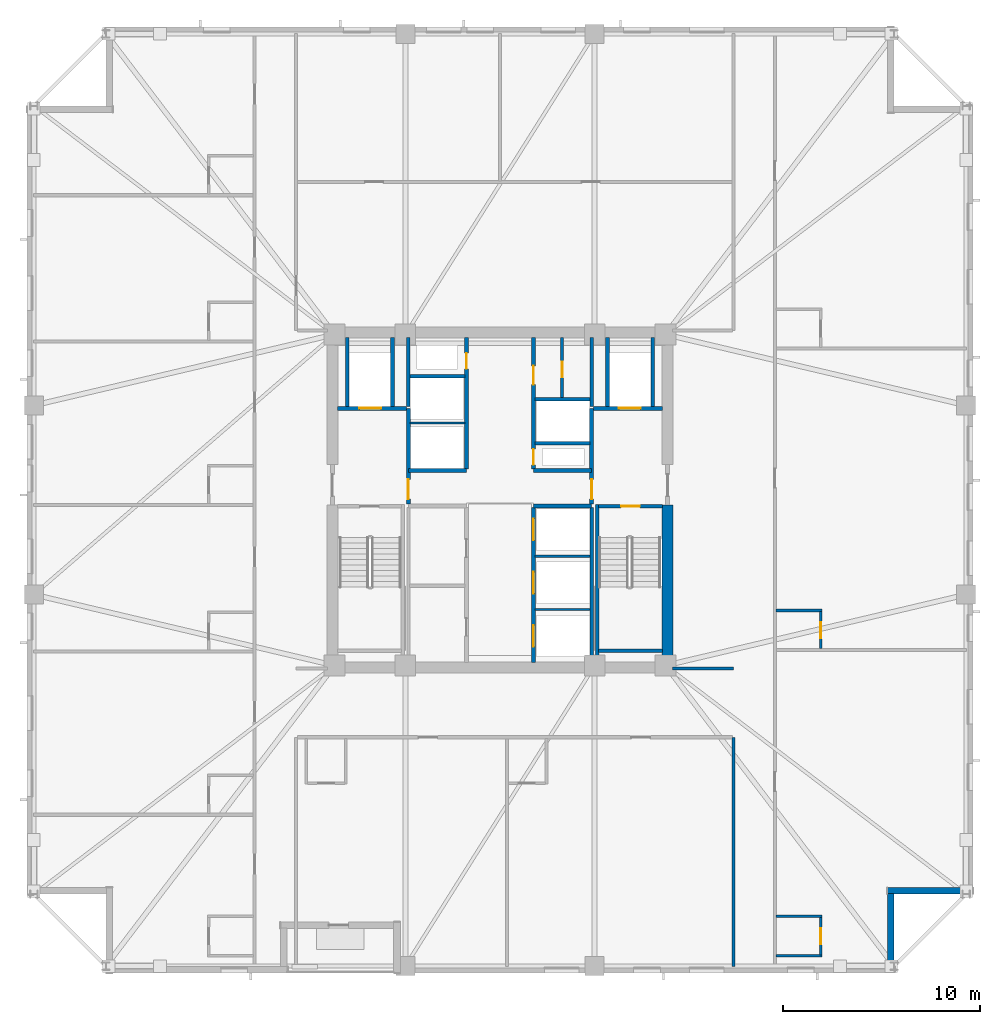
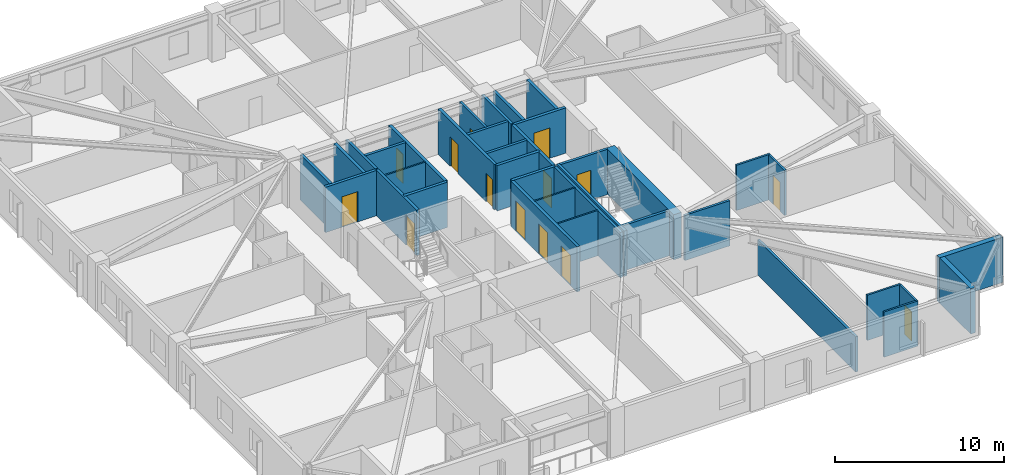
# One storey, part 4 of 11: 37 walls, 14 doors, 14 openings.
"""IFC4 building model written with IfcOpenShell, lengths in metres."""

from ifc_helpers import new_model, si_unit, direction, frame, frame_2d, origin, place, context, subcontext, project, spatial, rectangle, extrude, material, layer, layer_set, type_object, element, fill, save


model = new_model("IFC4")

# Units and contexts
model_context = context("Model", 3, precision=1e-05, world=origin(), true_north=direction((0.0, 1.0)))
body_context = subcontext(model_context, "Body", "Model", "MODEL_VIEW")
ifc_project = project(units=[si_unit("LENGTHUNIT", "METRE"), si_unit("AREAUNIT", "SQUARE_METRE"), si_unit("VOLUMEUNIT", "CUBIC_METRE"), si_unit("PLANEANGLEUNIT", "RADIAN"), si_unit("MASSUNIT", "GRAM", prefix="KILO")], contexts=[model_context])

# Site, building, storey
site_placement = place(None, origin())
site = spatial("IfcSite", under=ifc_project, at=site_placement, CompositionType="ELEMENT")
building_placement = place(site_placement, origin())
building = spatial("IfcBuilding", under=site, at=building_placement, Name="Cairnveth Concourse Tower", CompositionType="ELEMENT")
storey_placement = place(building_placement, frame((0.0, 0.0, 148.0)))
storey = spatial("IfcBuildingStorey", under=building, at=storey_placement, Name="L40", CompositionType="ELEMENT", Elevation=148.0)

# Wall, opening, door
ifc_material_1 = material(Name="Gypsum Plasterboard Partition", Category="gypsum")
ifc_layer_1 = layer(ifc_material_1, 0.159912109375)
ifc_layer_set_1 = layer_set([ifc_layer_1], Name="Gypsum Plasterboard Partition")
wall_type_1 = type_object("IfcWallType", Name="ACOUSTIC PARTY WALL 180", PredefinedType="PARTITIONING", material=ifc_layer_set_1)
wall_1_placement = place(storey_placement, frame((55.14990234375, 44.195068359375, 0.0), z_axis=(0.0, 0.0, 1.0), x_axis=(0.0, 1.0, 0.0)))
wall_1 = element("IfcWall", 1, at=wall_1_placement, inside=storey, type_object=wall_type_1, Name="Interior Wall IW-L40-036", PredefinedType="PARTITIONING", context=body_context, shape_type="SweptSolid", body=[
    extrude(rectangle(XDim=3.044921875, YDim=0.159912109375, at=frame_2d((1.5224609375, 0.0))), origin(), (0.0, 0.0, 1.0), 3.280029296875),
])
opening_1_placement = place(wall_1_placement, frame((1.02490234375, 0.0, 0.0)))
opening_1 = element("IfcOpeningElement", 2, at=opening_1_placement, cuts=wall_1, Name="Opening ID23", PredefinedType="OPENING", context=body_context, shape_type="SweptSolid", body=[
    extrude(rectangle(XDim=0.800048828125, YDim=2.10009765625, at=frame_2d((0.39990234375, 1.050048828125))), frame((0.0, 0.08984375, 0.0), z_axis=(0.0, -1.0, 0.0), x_axis=(1.0, 0.0, 0.0)), (0.0, 0.0, 1.0), 0.179931640625),
])
ifc_material_2 = material(Name="Steel Grade 350", Category="steel")
door_type_1 = type_object("IfcDoorType", Name="CORE SERVICE DOOR 800X2100", OperationType="NOTDEFINED", PredefinedType="DOOR", material=ifc_material_2)
door_1_placement = place(opening_1_placement, origin())
door_1 = element("IfcDoor", 3, at=door_1_placement, inside=storey, type_object=door_type_1, Name="NE Linen Closet Door L40", OperationType="SINGLE_SWING_LEFT", OverallHeight=2.10009765625, OverallWidth=0.800048828125, PredefinedType="DOOR", context=body_context, shape_type="SweptSolid", body=[
    extrude(rectangle(XDim=0.800048828125, YDim=2.10009765625, at=frame_2d((0.39990234375, 1.050048828125))), frame((0.0, 0.02490234375, 0.0), z_axis=(0.0, -1.0, 0.0), x_axis=(1.0, 0.0, 0.0)), (0.0, 0.0, 1.0), 0.050048828125),
])
fill(opening_1, door_1)

# Walls
wall_2_placement = place(storey_placement, frame((63.85009765625, 15.324951171875, 0.0), z_axis=(0.0, 0.0, 1.0), x_axis=(0.0, 1.0, 0.0)))
element("IfcWall", 4, at=wall_2_placement, inside=storey, type_object=wall_type_1, Name="Interior Wall IW-L40-043", PredefinedType="PARTITIONING", context=body_context, shape_type="SweptSolid", body=[
    extrude(rectangle(XDim=11.635009765625, YDim=0.159912109375, at=frame_2d((5.8173828125, 0.0))), origin(), (0.0, 0.0, 1.0), 2.554931640625),
])
wall_3_placement = place(storey_placement, frame((60.764892578125, 30.449951171875, 0.0), z_axis=(0.0, 0.0, 1.0), x_axis=(1.0, 0.0, 0.0)))
element("IfcWall", 5, at=wall_3_placement, inside=storey, type_object=wall_type_1, Name="Interior Wall IW-L40-045", PredefinedType="PARTITIONING", context=body_context, shape_type="SweptSolid", body=[
    extrude(rectangle(XDim=3.085205078125, YDim=0.159912109375, at=frame_2d((1.54248046875, 0.0))), origin(), (0.0, 0.0, 1.0), 3.280029296875),
])
ifc_material_3 = material(Name="Concrete N80 (80 MPa)", Category="concrete")
ifc_layer_2 = layer(ifc_material_3, 0.550048828125)
ifc_layer_set_2 = layer_set([ifc_layer_2], Name="Concrete N80 (80 MPa)")
wall_type_2 = type_object("IfcWallType", Name="CORE SHEAR WALL 550", PredefinedType="SHEAR", material=ifc_layer_set_2)
wall_4_placement = place(storey_placement, frame((60.5, 30.764892578125, 0.0), z_axis=(0.0, 0.0, 1.0), x_axis=(0.0, 1.0, 0.0)))
element("IfcWall", 6, at=wall_4_placement, inside=storey, type_object=wall_type_2, Name="Core East Shear Wall S L40", PredefinedType="SHEAR", context=body_context, shape_type="SweptSolid", body=[
    extrude(rectangle(XDim=7.985107421875, YDim=0.550048828125, at=frame_2d((3.99267578125, 0.0))), origin(), (0.0, 0.0, 1.0), 3.280029296875),
])
ifc_material_4 = material(Name="Concrete N50 (50 MPa)", Category="concrete")
ifc_layer_3 = layer(ifc_material_4, 0.179931640625)
ifc_layer_set_3 = layer_set([ifc_layer_3], Name="Concrete N50 (50 MPa)")
wall_type_3 = type_object("IfcWallType", Name="FIRE SHAFT WALL 180", PredefinedType="SOLIDWALL", material=ifc_layer_set_3)
wall_5_placement = place(storey_placement, frame((56.64990234375, 30.760009765625, 0.0), z_axis=(0.0, 0.0, 1.0), x_axis=(0.0, 1.0, 0.0)))
element("IfcWall", 7, at=wall_5_placement, inside=storey, type_object=wall_type_3, Name="Interior Wall IW-L40-027", PredefinedType="SOLIDWALL", context=body_context, shape_type="SweptSolid", body=[
    extrude(rectangle(XDim=7.85498046875, YDim=0.179931640625, at=frame_2d((3.927490234375, 0.0))), origin(), (0.0, 0.0, 1.0), 3.280029296875),
])
wall_6_placement = place(storey_placement, frame((47.35009765625, 43.735107421875, 0.0), z_axis=(0.0, 0.0, 1.0), x_axis=(0.0, 1.0, 0.0)))
element("IfcWall", 8, at=wall_6_placement, inside=storey, type_object=wall_type_3, Name="Interior Wall IW-L40-030", PredefinedType="SOLIDWALL", context=body_context, shape_type="SweptSolid", body=[
    extrude(rectangle(XDim=3.5048828125, YDim=0.179931640625, at=frame_2d((1.75244140625, 0.0))), origin(), (0.0, 0.0, 1.0), 3.280029296875),
])
wall_7_placement = place(storey_placement, frame((47.425048828125, 45.280029296875, 0.0), z_axis=(0.0, 0.0, 1.0), x_axis=(1.0, 0.0, 0.0)))
element("IfcWall", 9, at=wall_7_placement, inside=storey, type_object=wall_type_3, Name="Interior Wall IW-L40-032", PredefinedType="SOLIDWALL", context=body_context, shape_type="SweptSolid", body=[
    extrude(rectangle(XDim=2.7900390625, YDim=0.179931640625, at=frame_2d((1.39501953125, 0.0))), origin(), (0.0, 0.0, 1.0), 3.280029296875),
])
wall_8_placement = place(storey_placement, frame((56.64990234375, 43.735107421875, 0.0), z_axis=(0.0, 0.0, 1.0), x_axis=(0.0, 1.0, 0.0)))
element("IfcWall", 10, at=wall_8_placement, inside=storey, type_object=wall_type_3, Name="Interior Wall IW-L40-033", PredefinedType="SOLIDWALL", context=body_context, shape_type="SweptSolid", body=[
    extrude(rectangle(XDim=3.5048828125, YDim=0.179931640625, at=frame_2d((1.75244140625, 0.0))), origin(), (0.0, 0.0, 1.0), 3.280029296875),
])
wall_9_placement = place(storey_placement, frame((53.784912109375, 41.8798828125, 0.0), z_axis=(0.0, 0.0, 1.0), x_axis=(1.0, 0.0, 0.0)))
element("IfcWall", 11, at=wall_9_placement, inside=storey, type_object=wall_type_3, Name="Interior Wall IW-L40-034", PredefinedType="SOLIDWALL", context=body_context, shape_type="SweptSolid", body=[
    extrude(rectangle(XDim=2.780029296875, YDim=0.179931640625, at=frame_2d((1.39013671875, 0.0))), origin(), (0.0, 0.0, 1.0), 3.280029296875),
])
wall_10_placement = place(storey_placement, frame((53.784912109375, 44.1201171875, 0.0), z_axis=(0.0, 0.0, 1.0), x_axis=(1.0, 0.0, 0.0)))
element("IfcWall", 12, at=wall_10_placement, inside=storey, type_object=wall_type_3, Name="Interior Wall IW-L40-035", PredefinedType="SOLIDWALL", context=body_context, shape_type="SweptSolid", body=[
    extrude(rectangle(XDim=2.7900390625, YDim=0.179931640625, at=frame_2d((1.39501953125, 0.0))), origin(), (0.0, 0.0, 1.0), 3.280029296875),
])

# Wall, opening, door
wall_11_placement = place(storey_placement, frame((57.0048828125, 38.68994140625, 0.0), z_axis=(0.0, 0.0, 1.0), x_axis=(1.0, 0.0, 0.0)))
wall_11 = element("IfcWall", 13, at=wall_11_placement, inside=storey, type_object=wall_type_3, Name="Stair ST-2 Shaft Wall NEAR L40", PredefinedType="SOLIDWALL", context=body_context, shape_type="SweptSolid", body=[
    extrude(rectangle(XDim=3.230224609375, YDim=0.179931640625, at=frame_2d((1.615234375, 0.0))), origin(), (0.0, 0.0, 1.0), 3.280029296875),
])
opening_2_placement = place(wall_11_placement, frame((1.139892578125, 0.0, 0.0)))
opening_2 = element("IfcOpeningElement", 14, at=opening_2_placement, cuts=wall_11, Name="Opening ID12", PredefinedType="OPENING", context=body_context, shape_type="SweptSolid", body=[
    extrude(rectangle(XDim=0.949951171875, YDim=2.14990234375, at=frame_2d((0.47509765625, 1.074951171875))), frame((0.0, 0.099853515625, 0.0), z_axis=(0.0, -1.0, 0.0), x_axis=(1.0, 0.0, 0.0)), (0.0, 0.0, 1.0), 0.199951171875),
])
door_type_2 = type_object("IfcDoorType", Name="FIRE STAIR DOOR 950X2150", OperationType="NOTDEFINED", PredefinedType="DOOR", material=ifc_material_2)
door_2_placement = place(opening_2_placement, origin())
door_2 = element("IfcDoor", 15, at=door_2_placement, inside=storey, type_object=door_type_2, Name="Stair ST-2 Fire Door L40", OperationType="SINGLE_SWING_RIGHT", OverallHeight=2.14990234375, OverallWidth=0.949951171875, PredefinedType="DOOR", context=body_context, shape_type="SweptSolid", body=[
    extrude(rectangle(XDim=0.949951171875, YDim=2.14990234375, at=frame_2d((0.47509765625, 1.074951171875))), frame((0.0, 0.02490234375, 0.0), z_axis=(0.0, -1.0, 0.0), x_axis=(1.0, 0.0, 0.0)), (0.0, 0.0, 1.0), 0.050048828125),
])
fill(opening_2, door_2)

# Walls
wall_12_placement = place(storey_placement, frame((57.0048828125, 31.360107421875, 0.0), z_axis=(0.0, 0.0, 1.0), x_axis=(1.0, 0.0, 0.0)))
element("IfcWall", 16, at=wall_12_placement, inside=storey, type_object=wall_type_3, Name="Stair ST-2 Shaft Wall FAR L40", PredefinedType="SOLIDWALL", context=body_context, shape_type="SweptSolid", body=[
    extrude(rectangle(XDim=3.230224609375, YDim=0.179931640625, at=frame_2d((1.615234375, 0.0))), origin(), (0.0, 0.0, 1.0), 3.280029296875),
])
wall_13_placement = place(storey_placement, frame((56.929931640625, 38.780029296875, 0.0), z_axis=(0.0, 0.0, 1.0), x_axis=(0.0, -1.0, 0.0)))
element("IfcWall", 17, at=wall_13_placement, inside=storey, type_object=wall_type_3, Name="Stair ST-2 Shaft Wall LEFT L40", PredefinedType="SOLIDWALL", context=body_context, shape_type="SweptSolid", body=[
    extrude(rectangle(XDim=8.01708984375, YDim=0.179931640625, at=frame_2d((4.008544921875, 0.0))), origin(), (0.0, 0.0, 1.0), 3.280029296875),
])
ifc_layer_4 = layer(ifc_material_4, 0.199951171875)
ifc_layer_set_4 = layer_set([ifc_layer_4], Name="Concrete N50 (50 MPa)")
wall_type_4 = type_object("IfcWallType", Name="FIRE SHAFT WALL 200", PredefinedType="SOLIDWALL", material=ifc_layer_set_4)
for number, where, z_axis, x_axis, name in (
    (18, (47.35009765625, 40.5, 0.0), (0.0, 0.0, 1.0), (1.0, 0.0, 0.0), "Interior Wall IW-L40-008"),
    (19, (53.699951171875, 38.699951171875, 0.0), (0.0, 0.0, 1.0), (1.0, 0.0, 0.0), "Interior Wall IW-L40-009"),
    (20, (53.699951171875, 40.5, 0.0), (0.0, 0.0, 1.0), (1.0, 0.0, 0.0), "Interior Wall IW-L40-010"),
):
    element("IfcWall", number, at=place(storey_placement, frame(where, z_axis=z_axis, x_axis=x_axis)), inside=storey, type_object=wall_type_4, Name=name, PredefinedType="SOLIDWALL", context=body_context, shape_type="SweptSolid", body=[
        extrude(rectangle(XDim=2.949951171875, YDim=0.199951171875, at=frame_2d((1.47509765625, 0.0))), origin(), (0.0, 0.0, 1.0), 3.280029296875),
    ])

# Wall, openings, doors
wall_14_placement = place(storey_placement, frame((53.699951171875, 30.760009765625, 0.0), z_axis=(0.0, 0.0, 1.0), x_axis=(0.0, 1.0, 0.0)))
wall_14 = element("IfcWall", 21, at=wall_14_placement, inside=storey, type_object=wall_type_4, Name="Interior Wall IW-L40-012", PredefinedType="SOLIDWALL", context=body_context, shape_type="SweptSolid", body=[
    extrude(rectangle(XDim=7.85498046875, YDim=0.199951171875, at=frame_2d((3.927490234375, 0.0))), origin(), (0.0, 0.0, 1.0), 3.280029296875),
])
opening_3_placement = place(wall_14_placement, frame((0.7900390625, 0.0, 0.0)))
opening_3 = element("IfcOpeningElement", 22, at=opening_3_placement, cuts=wall_14, Name="Opening LD-1", PredefinedType="OPENING", context=body_context, shape_type="SweptSolid", body=[
    extrude(rectangle(XDim=1.10009765625, YDim=2.199951171875, at=frame_2d((0.550048828125, 1.10009765625))), frame((0.0, 0.10986328125, 0.0), z_axis=(0.0, -1.0, 0.0), x_axis=(1.0, 0.0, 0.0)), (0.0, 0.0, 1.0), 0.219970703125),
])
opening_4_placement = place(wall_14_placement, frame((3.489990234375, 0.0, 0.0)))
opening_4 = element("IfcOpeningElement", 23, at=opening_4_placement, cuts=wall_14, Name="Opening LD-1", PredefinedType="OPENING", context=body_context, shape_type="SweptSolid", body=[
    extrude(rectangle(XDim=1.10009765625, YDim=2.199951171875, at=frame_2d((0.550048828125, 1.10009765625))), frame((0.0, 0.10986328125, 0.0), z_axis=(0.0, -1.0, 0.0), x_axis=(1.0, 0.0, 0.0)), (0.0, 0.0, 1.0), 0.219970703125),
])
opening_5_placement = place(wall_14_placement, frame((6.18994140625, 0.0, 0.0)))
opening_5 = element("IfcOpeningElement", 24, at=opening_5_placement, cuts=wall_14, Name="Opening LD-1", PredefinedType="OPENING", context=body_context, shape_type="SweptSolid", body=[
    extrude(rectangle(XDim=1.10009765625, YDim=2.199951171875, at=frame_2d((0.550048828125, 1.10009765625))), frame((0.0, 0.10986328125, 0.0), z_axis=(0.0, -1.0, 0.0), x_axis=(1.0, 0.0, 0.0)), (0.0, 0.0, 1.0), 0.219970703125),
])
ifc_material_5 = material(Name="Architectural Bronze Anodised Aluminium 6063-T6", Category="aluminium")
door_type_3 = type_object("IfcDoorType", Name="LIFT LANDING DOOR 1100X2200", OperationType="SLIDING_TO_LEFT", PredefinedType="DOOR", material=ifc_material_5)
door_3_placement = place(opening_3_placement, origin())
door_3 = element("IfcDoor", 25, at=door_3_placement, inside=storey, type_object=door_type_3, Name="Lift PL4 Landing Door L40", OperationType="SLIDING_TO_LEFT", OverallHeight=2.199951171875, OverallWidth=1.10009765625, PredefinedType="DOOR", context=body_context, shape_type="SweptSolid", body=[
    extrude(rectangle(XDim=1.10009765625, YDim=2.199951171875, at=frame_2d((0.550048828125, 1.10009765625))), frame((0.0, 0.02490234375, 0.0), z_axis=(0.0, -1.0, 0.0), x_axis=(1.0, 0.0, 0.0)), (0.0, 0.0, 1.0), 0.050048828125),
])
fill(opening_3, door_3)
door_4_placement = place(opening_4_placement, origin())
door_4 = element("IfcDoor", 26, at=door_4_placement, inside=storey, type_object=door_type_3, Name="Lift PL5 Landing Door L40", OperationType="SLIDING_TO_LEFT", OverallHeight=2.199951171875, OverallWidth=1.10009765625, PredefinedType="DOOR", context=body_context, shape_type="SweptSolid", body=[
    extrude(rectangle(XDim=1.10009765625, YDim=2.199951171875, at=frame_2d((0.550048828125, 1.10009765625))), frame((0.0, 0.02490234375, 0.0), z_axis=(0.0, -1.0, 0.0), x_axis=(1.0, 0.0, 0.0)), (0.0, 0.0, 1.0), 0.050048828125),
])
fill(opening_4, door_4)
door_5_placement = place(opening_5_placement, origin())
door_5 = element("IfcDoor", 27, at=door_5_placement, inside=storey, type_object=door_type_3, Name="Lift PL6 Landing Door L40", OperationType="SLIDING_TO_LEFT", OverallHeight=2.199951171875, OverallWidth=1.10009765625, PredefinedType="DOOR", context=body_context, shape_type="SweptSolid", body=[
    extrude(rectangle(XDim=1.10009765625, YDim=2.199951171875, at=frame_2d((0.550048828125, 1.10009765625))), frame((0.0, 0.02490234375, 0.0), z_axis=(0.0, -1.0, 0.0), x_axis=(1.0, 0.0, 0.0)), (0.0, 0.0, 1.0), 0.050048828125),
])
fill(opening_5, door_5)

# Wall, opening, door
wall_15_placement = place(storey_placement, frame((50.300048828125, 40.5849609375, 0.0), z_axis=(0.0, 0.0, 1.0), x_axis=(0.0, 1.0, 0.0)))
wall_15 = element("IfcWall", 28, at=wall_15_placement, inside=storey, type_object=wall_type_4, Name="Interior Wall IW-L40-013", PredefinedType="SOLIDWALL", context=body_context, shape_type="SweptSolid", body=[
    extrude(rectangle(XDim=6.655029296875, YDim=0.199951171875, at=frame_2d((3.32763671875, 0.0))), origin(), (0.0, 0.0, 1.0), 3.280029296875),
])
opening_6_placement = place(wall_15_placement, frame((5.06494140625, 0.0, 0.0)))
opening_6 = element("IfcOpeningElement", 29, at=opening_6_placement, cuts=wall_15, Name="Opening ID24", PredefinedType="OPENING", context=body_context, shape_type="SweptSolid", body=[
    extrude(rectangle(XDim=0.800048828125, YDim=2.080078125, at=frame_2d((0.39990234375, 1.0400390625))), frame((0.0, 0.10986328125, 0.0), z_axis=(0.0, -1.0, 0.0), x_axis=(1.0, 0.0, 0.0)), (0.0, 0.0, 1.0), 0.219970703125),
])
door_type_4 = type_object("IfcDoorType", Name="RISER ACCESS DOOR 800X2100", OperationType="NOTDEFINED", PredefinedType="DOOR", material=ifc_material_2)
door_6_placement = place(opening_6_placement, origin())
door_6 = element("IfcDoor", 30, at=door_6_placement, inside=storey, type_object=door_type_4, Name="NW Electrical Riser Access Door L40", OperationType="SINGLE_SWING_RIGHT", OverallHeight=2.080078125, OverallWidth=0.800048828125, PredefinedType="DOOR", context=body_context, shape_type="SweptSolid", body=[
    extrude(rectangle(XDim=0.800048828125, YDim=2.080078125, at=frame_2d((0.39990234375, 1.0400390625))), frame((0.0, 0.02490234375, 0.0), z_axis=(0.0, -1.0, 0.0), x_axis=(1.0, 0.0, 0.0)), (0.0, 0.0, 1.0), 0.050048828125),
])
fill(opening_6, door_6)

# Wall, openings, doors
wall_16_placement = place(storey_placement, frame((53.699951171875, 40.5849609375, 0.0), z_axis=(0.0, 0.0, 1.0), x_axis=(0.0, 1.0, 0.0)))
wall_16 = element("IfcWall", 31, at=wall_16_placement, inside=storey, type_object=wall_type_4, Name="Interior Wall IW-L40-014", PredefinedType="SOLIDWALL", context=body_context, shape_type="SweptSolid", body=[
    extrude(rectangle(XDim=6.655029296875, YDim=0.199951171875, at=frame_2d((3.32763671875, 0.0))), origin(), (0.0, 0.0, 1.0), 3.280029296875),
])
opening_7_placement = place(wall_16_placement, frame((0.195068359375, 0.0, 0.0)))
opening_7 = element("IfcOpeningElement", 32, at=opening_7_placement, cuts=wall_16, Name="Opening ID24", PredefinedType="OPENING", context=body_context, shape_type="SweptSolid", body=[
    extrude(rectangle(XDim=0.800048828125, YDim=2.080078125, at=frame_2d((0.39990234375, 1.0400390625))), frame((0.0, 0.10986328125, 0.0), z_axis=(0.0, -1.0, 0.0), x_axis=(1.0, 0.0, 0.0)), (0.0, 0.0, 1.0), 0.219970703125),
])
opening_8_placement = place(wall_16_placement, frame((4.264892578125, 0.0, 0.0)))
opening_8 = element("IfcOpeningElement", 33, at=opening_8_placement, cuts=wall_16, Name="Opening ID25", PredefinedType="OPENING", context=body_context, shape_type="SweptSolid", body=[
    extrude(rectangle(XDim=0.949951171875, YDim=2.1201171875, at=frame_2d((0.47509765625, 1.06005859375))), frame((0.0, 0.10986328125, 0.0), z_axis=(0.0, -1.0, 0.0), x_axis=(1.0, 0.0, 0.0)), (0.0, 0.0, 1.0), 0.219970703125),
])
door_type_5 = type_object("IfcDoorType", Name="CORE ACCESSIBLE FIRE DOOR 950X2120", OperationType="NOTDEFINED", PredefinedType="DOOR", material=ifc_material_2)
door_7_placement = place(opening_8_placement, origin())
door_7 = element("IfcDoor", 34, at=door_7_placement, inside=storey, type_object=door_type_5, Name="Core NE Restroom Door L40", OperationType="SINGLE_SWING_RIGHT", OverallHeight=2.1201171875, OverallWidth=0.949951171875, PredefinedType="DOOR", context=body_context, shape_type="SweptSolid", body=[
    extrude(rectangle(XDim=0.949951171875, YDim=2.1201171875, at=frame_2d((0.47509765625, 1.06005859375))), frame((0.0, 0.02490234375, 0.0), z_axis=(0.0, -1.0, 0.0), x_axis=(1.0, 0.0, 0.0)), (0.0, 0.0, 1.0), 0.050048828125),
])
fill(opening_8, door_7)
door_8_placement = place(opening_7_placement, origin())
door_8 = element("IfcDoor", 35, at=door_8_placement, inside=storey, type_object=door_type_4, Name="Hydraulic Riser Door L40", OperationType="SINGLE_SWING_LEFT", OverallHeight=2.080078125, OverallWidth=0.800048828125, PredefinedType="DOOR", context=body_context, shape_type="SweptSolid", body=[
    extrude(rectangle(XDim=0.800048828125, YDim=2.080078125, at=frame_2d((0.39990234375, 1.0400390625))), frame((0.0, 0.02490234375, 0.0), z_axis=(0.0, -1.0, 0.0), x_axis=(1.0, 0.0, 0.0)), (0.0, 0.0, 1.0), 0.050048828125),
])
fill(opening_7, door_8)

# Wall, opening, door
wall_17_placement = place(storey_placement, frame((47.35009765625, 38.784912109375, 0.0), z_axis=(0.0, 0.0, 1.0), x_axis=(0.0, 1.0, 0.0)))
wall_17 = element("IfcWall", 36, at=wall_17_placement, inside=storey, type_object=wall_type_4, Name="Interior Wall IW-L40-016", PredefinedType="SOLIDWALL", context=body_context, shape_type="SweptSolid", body=[
    extrude(rectangle(XDim=4.864990234375, YDim=0.199951171875, at=frame_2d((2.4326171875, 0.0))), origin(), (0.0, 0.0, 1.0), 3.280029296875),
])
opening_9_placement = place(wall_17_placement, frame((0.264892578125, 0.0, 0.0)))
opening_9 = element("IfcOpeningElement", 37, at=opening_9_placement, cuts=wall_17, Name="Opening ID07", PredefinedType="OPENING", context=body_context, shape_type="SweptSolid", body=[
    extrude(rectangle(XDim=1.0, YDim=2.14990234375, at=frame_2d((0.5, 1.074951171875))), frame((0.0, 0.10986328125, 0.0), z_axis=(0.0, -1.0, 0.0), x_axis=(1.0, 0.0, 0.0)), (0.0, 0.0, 1.0), 0.219970703125),
])
door_type_6 = type_object("IfcDoorType", Name="FIRE CORRIDOR DOOR 1000X2150", OperationType="NOTDEFINED", PredefinedType="DOOR", material=ifc_material_2)
door_9_placement = place(opening_9_placement, origin())
door_9 = element("IfcDoor", 38, at=door_9_placement, inside=storey, type_object=door_type_6, Name="FF Lobby West to Lift Lobby Door L40", OperationType="SINGLE_SWING_RIGHT", OverallHeight=2.14990234375, OverallWidth=1.0, PredefinedType="DOOR", context=body_context, shape_type="SweptSolid", body=[
    extrude(rectangle(XDim=1.0, YDim=2.14990234375, at=frame_2d((0.5, 1.074951171875))), frame((0.0, 0.02490234375, 0.0), z_axis=(0.0, -1.0, 0.0), x_axis=(1.0, 0.0, 0.0)), (0.0, 0.0, 1.0), 0.050048828125),
])
fill(opening_9, door_9)

wall_18_placement = place(storey_placement, frame((43.760009765625, 43.64990234375, 0.0), z_axis=(0.0, 0.0, 1.0), x_axis=(1.0, 0.0, 0.0)))
wall_18 = element("IfcWall", 39, at=wall_18_placement, inside=storey, type_object=wall_type_4, Name="Interior Wall IW-L40-017", PredefinedType="SOLIDWALL", context=body_context, shape_type="SweptSolid", body=[
    extrude(rectangle(XDim=3.5048828125, YDim=0.199951171875, at=frame_2d((1.75244140625, 0.0))), origin(), (0.0, 0.0, 1.0), 3.280029296875),
])
opening_10_placement = place(wall_18_placement, frame((1.110107421875, 0.0, 0.0)))
opening_10 = element("IfcOpeningElement", 40, at=opening_10_placement, cuts=wall_18, Name="Opening LD-1", PredefinedType="OPENING", context=body_context, shape_type="SweptSolid", body=[
    extrude(rectangle(XDim=1.10009765625, YDim=2.199951171875, at=frame_2d((0.550048828125, 1.10009765625))), frame((0.0, 0.10986328125, 0.0), z_axis=(0.0, -1.0, 0.0), x_axis=(1.0, 0.0, 0.0)), (0.0, 0.0, 1.0), 0.219970703125),
])
door_10_placement = place(opening_10_placement, origin())
door_10 = element("IfcDoor", 41, at=door_10_placement, inside=storey, type_object=door_type_3, Name="Lift FFL1 Landing Door L40", OperationType="SLIDING_TO_LEFT", OverallHeight=2.199951171875, OverallWidth=1.10009765625, PredefinedType="DOOR", context=body_context, shape_type="SweptSolid", body=[
    extrude(rectangle(XDim=1.10009765625, YDim=2.199951171875, at=frame_2d((0.550048828125, 1.10009765625))), frame((0.0, 0.02490234375, 0.0), z_axis=(0.0, -1.0, 0.0), x_axis=(1.0, 0.0, 0.0)), (0.0, 0.0, 1.0), 0.050048828125),
])
fill(opening_10, door_10)

# Walls
for number, where, z_axis, x_axis, name in (
    (42, (46.550048828125, 43.735107421875, 0.0), (0.0, 0.0, 1.0), (0.0, 1.0, 0.0), "Interior Wall IW-L40-018"),
    (43, (44.25, 43.735107421875, 0.0), (0.0, 0.0, 1.0), (0.0, 1.0, 0.0), "Interior Wall IW-L40-019"),
):
    element("IfcWall", number, at=place(storey_placement, frame(where, z_axis=z_axis, x_axis=x_axis)), inside=storey, type_object=wall_type_4, Name=name, PredefinedType="SOLIDWALL", context=body_context, shape_type="SweptSolid", body=[
        extrude(rectangle(XDim=3.5048828125, YDim=0.199951171875, at=frame_2d((1.75244140625, 0.0))), origin(), (0.0, 0.0, 1.0), 3.280029296875),
    ])

# Wall, opening, door
wall_19_placement = place(storey_placement, frame((56.64990234375, 38.784912109375, 0.0), z_axis=(0.0, 0.0, 1.0), x_axis=(0.0, 1.0, 0.0)))
wall_19 = element("IfcWall", 44, at=wall_19_placement, inside=storey, type_object=wall_type_4, Name="Interior Wall IW-L40-021", PredefinedType="SOLIDWALL", context=body_context, shape_type="SweptSolid", body=[
    extrude(rectangle(XDim=4.864990234375, YDim=0.199951171875, at=frame_2d((2.4326171875, 0.0))), origin(), (0.0, 0.0, 1.0), 3.280029296875),
])
opening_11_placement = place(wall_19_placement, frame((0.264892578125, 0.0, 0.0)))
opening_11 = element("IfcOpeningElement", 45, at=opening_11_placement, cuts=wall_19, Name="Opening ID07", PredefinedType="OPENING", context=body_context, shape_type="SweptSolid", body=[
    extrude(rectangle(XDim=1.0, YDim=2.14990234375, at=frame_2d((0.5, 1.074951171875))), frame((0.0, 0.10986328125, 0.0), z_axis=(0.0, -1.0, 0.0), x_axis=(1.0, 0.0, 0.0)), (0.0, 0.0, 1.0), 0.219970703125),
])
door_11_placement = place(opening_11_placement, origin())
door_11 = element("IfcDoor", 46, at=door_11_placement, inside=storey, type_object=door_type_6, Name="FF Lobby East to Lift Lobby Door L40", OperationType="SINGLE_SWING_LEFT", OverallHeight=2.14990234375, OverallWidth=1.0, PredefinedType="DOOR", context=body_context, shape_type="SweptSolid", body=[
    extrude(rectangle(XDim=1.0, YDim=2.14990234375, at=frame_2d((0.5, 1.074951171875))), frame((0.0, 0.02490234375, 0.0), z_axis=(0.0, -1.0, 0.0), x_axis=(1.0, 0.0, 0.0)), (0.0, 0.0, 1.0), 0.050048828125),
])
fill(opening_11, door_11)

wall_20_placement = place(storey_placement, frame((56.735107421875, 43.64990234375, 0.0), z_axis=(0.0, 0.0, 1.0), x_axis=(1.0, 0.0, 0.0)))
wall_20 = element("IfcWall", 47, at=wall_20_placement, inside=storey, type_object=wall_type_4, Name="Interior Wall IW-L40-022", PredefinedType="SOLIDWALL", context=body_context, shape_type="SweptSolid", body=[
    extrude(rectangle(XDim=3.5048828125, YDim=0.199951171875, at=frame_2d((1.75244140625, 0.0))), origin(), (0.0, 0.0, 1.0), 3.280029296875),
])
opening_12_placement = place(wall_20_placement, frame((1.294921875, 0.0, 0.0)))
opening_12 = element("IfcOpeningElement", 48, at=opening_12_placement, cuts=wall_20, Name="Opening LD-1", PredefinedType="OPENING", context=body_context, shape_type="SweptSolid", body=[
    extrude(rectangle(XDim=1.10009765625, YDim=2.199951171875, at=frame_2d((0.550048828125, 1.10009765625))), frame((0.0, 0.10986328125, 0.0), z_axis=(0.0, -1.0, 0.0), x_axis=(1.0, 0.0, 0.0)), (0.0, 0.0, 1.0), 0.219970703125),
])
door_12_placement = place(opening_12_placement, origin())
door_12 = element("IfcDoor", 49, at=door_12_placement, inside=storey, type_object=door_type_3, Name="Lift FFL2 Landing Door L40", OperationType="SLIDING_TO_LEFT", OverallHeight=2.199951171875, OverallWidth=1.10009765625, PredefinedType="DOOR", context=body_context, shape_type="SweptSolid", body=[
    extrude(rectangle(XDim=1.10009765625, YDim=2.199951171875, at=frame_2d((0.550048828125, 1.10009765625))), frame((0.0, 0.02490234375, 0.0), z_axis=(0.0, -1.0, 0.0), x_axis=(1.0, 0.0, 0.0)), (0.0, 0.0, 1.0), 0.050048828125),
])
fill(opening_12, door_12)

# Walls
for number, where, z_axis, x_axis, name in (
    (50, (57.449951171875, 43.735107421875, 0.0), (0.0, 0.0, 1.0), (0.0, 1.0, 0.0), "Interior Wall IW-L40-023"),
    (51, (59.75, 43.735107421875, 0.0), (0.0, 0.0, 1.0), (0.0, 1.0, 0.0), "Interior Wall IW-L40-024"),
):
    element("IfcWall", number, at=place(storey_placement, frame(where, z_axis=z_axis, x_axis=x_axis)), inside=storey, type_object=wall_type_4, Name=name, PredefinedType="SOLIDWALL", context=body_context, shape_type="SweptSolid", body=[
        extrude(rectangle(XDim=3.5048828125, YDim=0.199951171875, at=frame_2d((1.75244140625, 0.0))), origin(), (0.0, 0.0, 1.0), 3.280029296875),
    ])
ifc_layer_5 = layer(ifc_material_1, 0.110107421875)
ifc_layer_set_5 = layer_set([ifc_layer_5], Name="Gypsum Plasterboard Partition")
wall_type_5 = type_object("IfcWallType", Name="SHAFT DIVIDER WALL 140", PredefinedType="PARTITIONING", material=ifc_layer_set_5)
for number, where, z_axis, x_axis, name in (
    (52, (53.784912109375, 33.449951171875, 0.0), (0.0, 0.0, 1.0), (1.0, 0.0, 0.0), "Interior Wall IW-L40-028"),
    (53, (53.784912109375, 36.14990234375, 0.0), (0.0, 0.0, 1.0), (1.0, 0.0, 0.0), "Interior Wall IW-L40-029"),
):
    element("IfcWall", number, at=place(storey_placement, frame(where, z_axis=z_axis, x_axis=x_axis)), inside=storey, type_object=wall_type_5, Name=name, PredefinedType="PARTITIONING", context=body_context, shape_type="SweptSolid", body=[
        extrude(rectangle(XDim=2.7900390625, YDim=0.110107421875, at=frame_2d((1.39501953125, 0.0))), origin(), (0.0, 0.0, 1.0), 3.280029296875),
    ])
wall_21_placement = place(storey_placement, frame((47.43505859375, 42.89990234375, 0.0), z_axis=(0.0, 0.0, 1.0), x_axis=(1.0, 0.0, 0.0)))
element("IfcWall", 54, at=wall_21_placement, inside=storey, type_object=wall_type_5, Name="Interior Wall IW-L40-031", PredefinedType="PARTITIONING", context=body_context, shape_type="SweptSolid", body=[
    extrude(rectangle(XDim=2.780029296875, YDim=0.110107421875, at=frame_2d((1.39013671875, 0.0))), origin(), (0.0, 0.0, 1.0), 3.280029296875),
])
ifc_layer_6 = layer(ifc_material_1, 0.1298828125)
ifc_layer_set_6 = layer_set([ifc_layer_6], Name="Gypsum Plasterboard Partition")
wall_type_6 = type_object("IfcWallType", Name="WET AREA PARTITION 140", PredefinedType="PLUMBINGWALL", material=ifc_layer_set_6)
for number, where, z_axis, x_axis, name in (
    (55, (66.014892578125, 15.8701171875, 0.0), (0.0, 0.0, 1.0), (1.0, 0.0, 0.0), "Interior Wall IW-L40-074"),
    (56, (66.014892578125, 17.8701171875, 0.0), (0.0, 0.0, 1.0), (1.0, 0.0, 0.0), "Interior Wall IW-L40-075"),
):
    element("IfcWall", number, at=place(storey_placement, frame(where, z_axis=z_axis, x_axis=x_axis)), inside=storey, type_object=wall_type_6, Name=name, PredefinedType="PLUMBINGWALL", context=body_context, shape_type="SweptSolid", body=[
        extrude(rectangle(XDim=2.315185546875, YDim=0.1298828125, at=frame_2d((1.15771484375, 0.0))), origin(), (0.0, 0.0, 1.0), 3.280029296875),
    ])

# Wall, opening, door
wall_22_placement = place(storey_placement, frame((68.280029296875, 15.919921875, 0.0), z_axis=(0.0, 0.0, 1.0), x_axis=(0.0, 1.0, 0.0)))
wall_22 = element("IfcWall", 57, at=wall_22_placement, inside=storey, type_object=wall_type_6, Name="Interior Wall IW-L40-076", PredefinedType="PLUMBINGWALL", context=body_context, shape_type="SweptSolid", body=[
    extrude(rectangle(XDim=1.900146484375, YDim=0.1298828125, at=frame_2d((0.9501953125, 0.0))), origin(), (0.0, 0.0, 1.0), 3.280029296875),
])
opening_13_placement = place(wall_22_placement, frame((0.5400390625, 0.0, 0.0)))
opening_13 = element("IfcOpeningElement", 58, at=opening_13_placement, cuts=wall_22, Name="Opening ID22", PredefinedType="OPENING", context=body_context, shape_type="SweptSolid", body=[
    extrude(rectangle(XDim=0.820068359375, YDim=2.10009765625, at=frame_2d((0.41015625, 1.050048828125))), frame((0.0, 0.074951171875, 0.0), z_axis=(0.0, -1.0, 0.0), x_axis=(1.0, 0.0, 0.0)), (0.0, 0.0, 1.0), 0.14990234375),
])
ifc_material_6 = material(Name="Solid Core Hardwood Timber Leaf", Category="wood")
door_type_7 = type_object("IfcDoorType", Name="INTERIOR WC DOOR 820X2100", OperationType="NOTDEFINED", PredefinedType="DOOR", material=ifc_material_6)
door_13_placement = place(opening_13_placement, origin())
door_13 = element("IfcDoor", 59, at=door_13_placement, inside=storey, type_object=door_type_7, Name="En-Suite Door L40-E1", OperationType="SINGLE_SWING_LEFT", OverallHeight=2.10009765625, OverallWidth=0.820068359375, PredefinedType="DOOR", context=body_context, shape_type="SweptSolid", body=[
    extrude(rectangle(XDim=0.820068359375, YDim=2.10009765625, at=frame_2d((0.41015625, 1.050048828125))), frame((0.0, 0.02490234375, 0.0), z_axis=(0.0, -1.0, 0.0), x_axis=(1.0, 0.0, 0.0)), (0.0, 0.0, 1.0), 0.050048828125),
])
fill(opening_13, door_13)

# Wall
wall_23_placement = place(storey_placement, frame((66.014892578125, 33.3935546875, 0.0), z_axis=(0.0, 0.0, 1.0), x_axis=(1.0, 0.0, 0.0)))
element("IfcWall", 60, at=wall_23_placement, inside=storey, type_object=wall_type_6, Name="Interior Wall IW-L40-078", PredefinedType="PLUMBINGWALL", context=body_context, shape_type="SweptSolid", body=[
    extrude(rectangle(XDim=2.315185546875, YDim=0.1298828125, at=frame_2d((1.15771484375, 0.0))), origin(), (0.0, 0.0, 1.0), 3.280029296875),
])

# Wall, opening, door
wall_24_placement = place(storey_placement, frame((68.280029296875, 31.45849609375, 0.0), z_axis=(0.0, 0.0, 1.0), x_axis=(0.0, 1.0, 0.0)))
wall_24 = element("IfcWall", 61, at=wall_24_placement, inside=storey, type_object=wall_type_6, Name="Interior Wall IW-L40-079", PredefinedType="PLUMBINGWALL", context=body_context, shape_type="SweptSolid", body=[
    extrude(rectangle(XDim=1.885009765625, YDim=0.1298828125, at=frame_2d((0.9423828125, 0.0))), origin(), (0.0, 0.0, 1.0), 3.280029296875),
])
opening_14_placement = place(wall_24_placement, frame((0.52490234375, 0.0, 0.0)))
opening_14 = element("IfcOpeningElement", 62, at=opening_14_placement, cuts=wall_24, Name="Opening ID22", PredefinedType="OPENING", context=body_context, shape_type="SweptSolid", body=[
    extrude(rectangle(XDim=0.820068359375, YDim=2.10009765625, at=frame_2d((0.41015625, 1.050048828125))), frame((0.0, 0.074951171875, 0.0), z_axis=(0.0, -1.0, 0.0), x_axis=(1.0, 0.0, 0.0)), (0.0, 0.0, 1.0), 0.14990234375),
])
door_14_placement = place(opening_14_placement, origin())
door_14 = element("IfcDoor", 63, at=door_14_placement, inside=storey, type_object=door_type_7, Name="En-Suite Door L40-E2", OperationType="SINGLE_SWING_LEFT", OverallHeight=2.10009765625, OverallWidth=0.820068359375, PredefinedType="DOOR", context=body_context, shape_type="SweptSolid", body=[
    extrude(rectangle(XDim=0.820068359375, YDim=2.10009765625, at=frame_2d((0.41015625, 1.050048828125))), frame((0.0, 0.02490234375, 0.0), z_axis=(0.0, -1.0, 0.0), x_axis=(1.0, 0.0, 0.0)), (0.0, 0.0, 1.0), 0.050048828125),
])
fill(opening_14, door_14)

# Walls
ifc_material_7 = material(Name="Hawthorn Red-Ochre Fired Clay Brick Masonry", Category="masonry")
ifc_layer_7 = layer(ifc_material_7, 0.340087890625)
ifc_layer_set_7 = layer_set([ifc_layer_7], Name="Hawthorn Red-Ochre Fired Clay Brick Masonry")
wall_type_7 = type_object("IfcWallType", Name="ZONE 2 BRICK PIER SPANDREL WALL 340", PredefinedType="SOLIDWALL", material=ifc_layer_set_7)
wall_25_placement = place(storey_placement, frame((76.0, 19.169921875, 0.0), z_axis=(0.0, 0.0, 1.0), x_axis=(-1.0, 0.0, 0.0)))
element("IfcWall", 64, at=wall_25_placement, inside=storey, type_object=wall_type_7, Name="Exterior Wall EW-L40-S10", PredefinedType="SOLIDWALL", context=body_context, shape_type="SweptSolid", body=[
    extrude(rectangle(XDim=4.340087890625, YDim=0.340087890625, at=frame_2d((2.169921875, 0.0))), origin(), (0.0, 0.0, 1.0), 3.280029296875),
])
wall_26_placement = place(storey_placement, frame((71.830078125, 19.02197265625, 0.0), z_axis=(0.0, 0.0, 1.0), x_axis=(0.0, -1.0, 0.0)))
element("IfcWall", 65, at=wall_26_placement, inside=storey, type_object=wall_type_7, Name="Exterior Wall EW-L40-S11", PredefinedType="SOLIDWALL", context=body_context, shape_type="SweptSolid", body=[
    extrude(rectangle(XDim=3.703857421875, YDim=0.340087890625, at=frame_2d((1.85205078125, 0.0))), origin(), (0.0, 0.0, 1.0), 3.280029296875),
])

save(model, "model.ifc")
